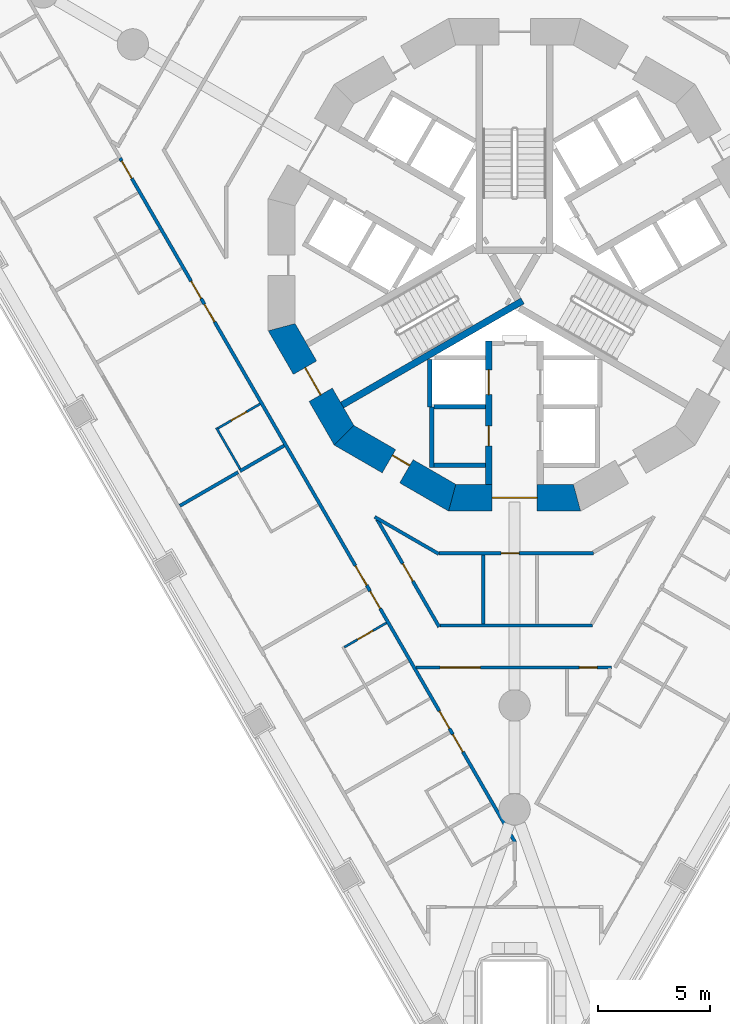
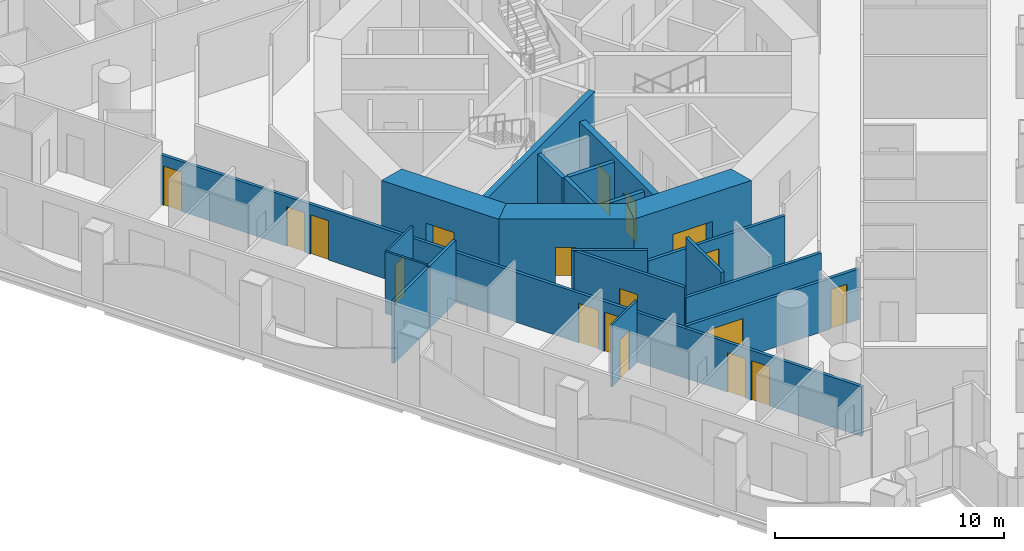
# One storey, part 3 of 19: 21 walls, 18 doors, 18 openings.
"""IFC4 building model written with IfcOpenShell, lengths in metres."""

from ifc_helpers import new_model, si_unit, direction, frame, frame_2d, origin, place, context, subcontext, project, spatial, polyline, rectangle, outline, extrude, material, layer, layer_set, type_object, element, fill, save


model = new_model("IFC4")

# Units and contexts
model_context = context("Model", 3, precision=1e-05, world=origin(), true_north=direction((0.0, 1.0)))
body_context = subcontext(model_context, "Body", "Model", "MODEL_VIEW")
ifc_project = project(units=[si_unit("LENGTHUNIT", "METRE"), si_unit("AREAUNIT", "SQUARE_METRE"), si_unit("VOLUMEUNIT", "CUBIC_METRE"), si_unit("PLANEANGLEUNIT", "RADIAN"), si_unit("MASSUNIT", "GRAM", prefix="KILO")], contexts=[model_context])

# Site, building, storey
site_placement = place(None, origin())
site = spatial("IfcSite", under=ifc_project, at=site_placement, CompositionType="ELEMENT")
building_placement = place(site_placement, origin())
building = spatial("IfcBuilding", under=site, at=building_placement, Name="Trine Commons Tower", CompositionType="ELEMENT")
storey_placement = place(building_placement, frame((0.0, 0.0, 31.5)))
storey = spatial("IfcBuildingStorey", under=building, at=storey_placement, Name="L06", CompositionType="ELEMENT", Elevation=31.5)

# Wall, opening, door
ifc_material_1 = material(Name="Concrete C80/95", Category="concrete")
ifc_layer_1 = layer(ifc_material_1, 1.199951171875)
ifc_layer_set_1 = layer_set([ifc_layer_1], Name="Concrete C80/95")
wall_type_1 = type_object("IfcWallType", Name="RC shear wall 1200 mm, C80/95", PredefinedType="SHEAR", material=ifc_layer_set_1)
wall_1_placement = place(storey_placement, frame((69.508056640625, 59.849609375, 0.0), z_axis=(0.0, 0.0, 1.0), x_axis=(0.499979111662, -0.866037463336, 0.0)))
wall_1 = element("IfcWall", 1, at=wall_1_placement, inside=storey, type_object=wall_type_1, Name="Core wall CWA-08 L06", PredefinedType="SHEAR", context=body_context, shape_type="SweptSolid", body=[
    extrude(outline(polyline([(0.0, -0.60009765625), (5.901123046875, -0.60009765625), (5.57958984375, 0.60009765625), (0.321533203125, 0.60009765625), (0.0, -0.60009765625)])), origin(), (0.0, 0.0, 1.0), 3.60009765625),
])
opening_1_placement = place(wall_1_placement, frame((2.25048828125, 0.0, 0.0)))
opening_1 = element("IfcOpeningElement", 2, at=opening_1_placement, cuts=wall_1, Name="Opening K05.02", PredefinedType="OPENING", context=body_context, shape_type="SweptSolid", body=[
    extrude(rectangle(XDim=1.39990234375, YDim=2.10009765625, at=frame_2d((0.699951171875, 1.050048828125))), frame((0.0, 0.60986328125, 0.0), z_axis=(0.0, -1.0, 0.0), x_axis=(1.0, 0.0, 0.0)), (0.0, 0.0, 1.0), 1.219970703125),
])
ifc_material_2 = material(Name="Steel door leaves, fire-rated", Category="steel")
door_type_1 = type_object("IfcDoorType", Name="Stair door, double leaf 1400 x 2100, FD90", OperationType="DOUBLE_DOOR_SINGLE_SWING", PredefinedType="DOOR", material=ifc_material_2)
door_1_placement = place(opening_1_placement, origin())
door_1 = element("IfcDoor", 3, at=door_1_placement, inside=storey, type_object=door_type_1, Name="Stair door to Exit stair ST2A L06", OperationType="DOUBLE_DOOR_SINGLE_SWING", OverallHeight=2.10009765625, OverallWidth=1.39990234375, PredefinedType="DOOR", context=body_context, shape_type="SweptSolid", body=[
    extrude(rectangle(XDim=1.39990234375, YDim=2.10009765625, at=frame_2d((0.699951171875, 1.050048828125))), frame((0.0, 0.02490234375, 0.0), z_axis=(0.0, -1.0, 0.0), x_axis=(1.0, 0.0, 0.0)), (0.0, 0.0, 1.0), 0.050048828125),
])
fill(opening_1, door_1)

wall_2_placement = place(storey_placement, frame((72.239013671875, 54.95849609375, 0.0), z_axis=(0.0, 0.0, 1.0), x_axis=(0.866037463336, -0.499979111662, 0.0)))
wall_2 = element("IfcWall", 4, at=wall_2_placement, inside=storey, type_object=wall_type_1, Name="Core wall CWA-09 L06", PredefinedType="SHEAR", context=body_context, shape_type="SweptSolid", body=[
    extrude(outline(polyline([(0.0, -0.60009765625), (5.901123046875, -0.60009765625), (5.57958984375, 0.60009765625), (0.321533203125, 0.60009765625), (0.0, -0.60009765625)])), origin(), (0.0, 0.0, 1.0), 3.60009765625),
])
opening_2_placement = place(wall_2_placement, frame((2.4765625, 0.0, 0.0)))
opening_2 = element("IfcOpeningElement", 5, at=opening_2_placement, cuts=wall_2, Name="Opening K05.14", PredefinedType="OPENING", context=body_context, shape_type="SweptSolid", body=[
    extrude(rectangle(XDim=0.89990234375, YDim=2.10009765625, at=frame_2d((0.449951171875, 1.050048828125))), frame((0.0, 0.60986328125, 0.0), z_axis=(0.0, -1.0, 0.0), x_axis=(1.0, 0.0, 0.0)), (0.0, 0.0, 1.0), 1.219970703125),
])
ifc_material_3 = material(Name="Steel door leaf, fire-rated", Category="steel")
door_type_2 = type_object("IfcDoorType", Name="Core room door, single leaf 900 x 2100, FD30S", OperationType="SINGLE_SWING_LEFT", PredefinedType="DOOR", material=ifc_material_3)
door_2_placement = place(opening_2_placement, origin())
door_2 = element("IfcDoor", 6, at=door_2_placement, inside=storey, type_object=door_type_2, Name="Door to Parcel store L06", OperationType="SINGLE_SWING_LEFT", OverallHeight=2.10009765625, OverallWidth=0.89990234375, PredefinedType="DOOR", context=body_context, shape_type="SweptSolid", body=[
    extrude(rectangle(XDim=0.89990234375, YDim=2.10009765625, at=frame_2d((0.449951171875, 1.050048828125))), frame((0.0, 0.3251953125, 0.0), z_axis=(0.0, -1.0, 0.0), x_axis=(1.0, 0.0, 0.0)), (0.0, 0.0, 1.0), 0.050048828125),
])
fill(opening_2, door_2)

wall_3_placement = place(storey_placement, frame((77.049560546875, 52.08837890625, 0.0), z_axis=(0.0, 0.0, 1.0), x_axis=(1.0, 0.0, 0.0)))
wall_3 = element("IfcWall", 7, at=wall_3_placement, inside=storey, type_object=wall_type_1, Name="Core wall CWA-10 L06", PredefinedType="SHEAR", context=body_context, shape_type="SweptSolid", body=[
    extrude(outline(polyline([(0.0, -0.60009765625), (5.90087890625, -0.60009765625), (5.57958984375, 0.60009765625), (0.321533203125, 0.60009765625), (0.0, -0.60009765625)])), origin(), (0.0, 0.0, 1.0), 3.60009765625),
])
opening_3_placement = place(wall_3_placement, frame((1.950439453125, 0.0, 0.0)))
opening_3 = element("IfcOpeningElement", 8, at=opening_3_placement, cuts=wall_3, Name="Opening K05.08", PredefinedType="OPENING", context=body_context, shape_type="SweptSolid", body=[
    extrude(rectangle(XDim=2.0, YDim=2.10009765625, at=frame_2d((1.0, 1.050048828125))), frame((0.0, 0.60986328125, 0.0), z_axis=(0.0, -1.0, 0.0), x_axis=(1.0, 0.0, 0.0)), (0.0, 0.0, 1.0), 1.219970703125),
])
door_type_3 = type_object("IfcDoorType", Name="Lobby door, double leaf 2000 x 2100, FD60", OperationType="DOUBLE_DOOR_SINGLE_SWING", PredefinedType="DOOR", material=ifc_material_2)
door_3_placement = place(opening_3_placement, origin())
door_3 = element("IfcDoor", 9, at=door_3_placement, inside=storey, type_object=door_type_3, Name="Lobby door, Service and firefighting lobby L06", OperationType="DOUBLE_DOOR_SINGLE_SWING", OverallHeight=2.10009765625, OverallWidth=2.0, PredefinedType="DOOR", context=body_context, shape_type="SweptSolid", body=[
    extrude(rectangle(XDim=2.0, YDim=2.10009765625, at=frame_2d((1.0, 1.050048828125))), frame((0.0, 0.02490234375, 0.0), z_axis=(0.0, -1.0, 0.0), x_axis=(1.0, 0.0, 0.0)), (0.0, 0.0, 1.0), 0.050048828125),
])
fill(opening_3, door_3)

# Wall, openings, doors
ifc_layer_2 = layer(ifc_material_1, 0.300048828125)
ifc_layer_set_2 = layer_set([ifc_layer_2], Name="Concrete C80/95")
wall_type_2 = type_object("IfcWallType", Name="RC shear wall 300 mm, C80/95", PredefinedType="SHEAR", material=ifc_layer_set_2)
wall_4_placement = place(storey_placement, frame((78.85009765625, 59.10009765625, 0.0), z_axis=(0.0, 0.0, 1.0), x_axis=(0.0, -1.0, 0.0)))
wall_4 = element("IfcWall", 10, at=wall_4_placement, inside=storey, type_object=wall_type_2, Name="Core cross wall SWA-03 L06", PredefinedType="SHEAR", context=body_context, shape_type="SweptSolid", body=[
    extrude(rectangle(XDim=6.412109375, YDim=0.300048828125, at=frame_2d((3.2060546875, 0.0))), origin(), (0.0, 0.0, 1.0), 3.60009765625),
])
opening_4_placement = place(wall_4_placement, frame((3.800048828125, 0.0, 0.0)))
opening_4 = element("IfcOpeningElement", 11, at=opening_4_placement, cuts=wall_4, Name="Opening K05.10", PredefinedType="OPENING", context=body_context, shape_type="SweptSolid", body=[
    extrude(rectangle(XDim=0.89990234375, YDim=2.10009765625, at=frame_2d((0.449951171875, 1.050048828125))), frame((0.0, 0.159912109375, 0.0), z_axis=(0.0, -1.0, 0.0), x_axis=(1.0, 0.0, 0.0)), (0.0, 0.0, 1.0), 0.320068359375),
])
opening_5_placement = place(wall_4_placement, frame((1.300048828125, 0.0, 0.0)))
opening_5 = element("IfcOpeningElement", 12, at=opening_5_placement, cuts=wall_4, Name="Opening LD10", PredefinedType="OPENING", context=body_context, shape_type="SweptSolid", body=[
    extrude(rectangle(XDim=1.10009765625, YDim=2.10009765625, at=frame_2d((0.550048828125, 1.050048828125))), frame((0.0, 0.159912109375, 0.0), z_axis=(0.0, -1.0, 0.0), x_axis=(1.0, 0.0, 0.0)), (0.0, 0.0, 1.0), 0.320068359375),
])
door_4_placement = place(opening_4_placement, frame((0.89990234375, 0.0, 0.0), z_axis=(0.0, 0.0, 1.0), x_axis=(-1.0, 0.0, 0.0)))
door_4 = element("IfcDoor", 13, at=door_4_placement, inside=storey, type_object=door_type_2, Name="Door to Linen store L06", OperationType="SINGLE_SWING_RIGHT", OverallHeight=2.10009765625, OverallWidth=0.89990234375, PredefinedType="DOOR", context=body_context, shape_type="SweptSolid", body=[
    extrude(rectangle(XDim=0.89990234375, YDim=2.10009765625, at=frame_2d((0.449951171875, 1.050048828125))), frame((0.0, 0.02490234375, 0.0), z_axis=(0.0, -1.0, 0.0), x_axis=(1.0, 0.0, 0.0)), (0.0, 0.0, 1.0), 0.050048828125),
])
fill(opening_4, door_4)
ifc_material_4 = material(Name="Stainless steel sliding door leaves", Category="steel")
door_type_4 = type_object("IfcDoorType", Name="Lift landing door, centre-opening sliding 1100 x 2100, FD90", OperationType="DOUBLE_DOOR_SLIDING", PredefinedType="DOOR", material=ifc_material_4)
door_5_placement = place(opening_5_placement, origin())
door_5 = element("IfcDoor", 14, at=door_5_placement, inside=storey, type_object=door_type_4, Name="Lift landing door FF2 L06", OperationType="DOUBLE_DOOR_SLIDING", OverallHeight=2.10009765625, OverallWidth=1.10009765625, PredefinedType="DOOR", context=body_context, shape_type="SweptSolid", body=[
    extrude(rectangle(XDim=1.10009765625, YDim=2.10009765625, at=frame_2d((0.550048828125, 1.050048828125))), frame((0.0, 0.02490234375, 0.0), z_axis=(0.0, -1.0, 0.0), x_axis=(1.0, 0.0, 0.0)), (0.0, 0.0, 1.0), 0.050048828125),
])
fill(opening_5, door_5)

# Walls
wall_5_placement = place(storey_placement, frame((80.35400390625, 60.885986328125, 0.0), z_axis=(0.0, 0.0, 1.0), x_axis=(-0.865986456211, -0.50006745311, 0.0)))
element("IfcWall", 15, at=wall_5_placement, inside=storey, type_object=wall_type_2, Name="Core cross wall SWA-14 L06", PredefinedType="SHEAR", context=body_context, shape_type="SweptSolid", body=[
    extrude(rectangle(XDim=9.310791015625, YDim=0.300048828125, at=frame_2d((4.6552734375, 0.0))), origin(), (0.0, 0.0, 1.0), 3.60009765625),
])
ifc_material_5 = material(Name="Fire-rated gypsum shaft wall system")
ifc_layer_3 = layer(ifc_material_5, 0.199951171875)
ifc_layer_set_3 = layer_set([ifc_layer_3], Name="Fire-rated gypsum shaft wall system")
wall_type_3 = type_object("IfcWallType", Name="Shaft wall 200 mm, EI 120", PredefinedType="PARTITIONING", material=ifc_layer_set_3)
wall_6_placement = place(storey_placement, frame((76.199951171875, 58.256103515625, 0.0), z_axis=(0.0, 0.0, 1.0), x_axis=(0.0, -1.0, 0.0)))
element("IfcWall", 16, at=wall_6_placement, inside=storey, type_object=wall_type_3, Name="Shaft wall L06", PredefinedType="PARTITIONING", context=body_context, shape_type="SweptSolid", body=[
    extrude(rectangle(XDim=2.106201171875, YDim=0.199951171875, at=frame_2d((1.05322265625, 0.0))), origin(), (0.0, 0.0, 1.0), 3.300048828125),
])
wall_7_placement = place(storey_placement, frame((76.300048828125, 56.14990234375, 0.0), z_axis=(0.0, 0.0, 1.0), x_axis=(0.0, -1.0, 0.0)))
element("IfcWall", 17, at=wall_7_placement, inside=storey, type_object=wall_type_3, Name="Shaft wall L06", PredefinedType="PARTITIONING", context=body_context, shape_type="SweptSolid", body=[
    extrude(rectangle(XDim=2.699951171875, YDim=0.199951171875, at=frame_2d((1.35009765625, 0.0))), origin(), (0.0, 0.0, 1.0), 3.300048828125),
])
for number, where, z_axis, x_axis, name in (
    (18, (78.699951171875, 53.550048828125, 0.0), (0.0, 0.0, 1.0), (-1.0, 0.0, 0.0), "Shaft wall L06"),
    (19, (78.699951171875, 56.14990234375, 0.0), (0.0, 0.0, 1.0), (-1.0, 0.0, 0.0), "Shaft wall L06"),
):
    element("IfcWall", number, at=place(storey_placement, frame(where, z_axis=z_axis, x_axis=x_axis)), inside=storey, type_object=wall_type_3, Name=name, PredefinedType="PARTITIONING", context=body_context, shape_type="SweptSolid", body=[
        extrude(rectangle(XDim=2.300048828125, YDim=0.199951171875, at=frame_2d((1.14990234375, 0.0))), origin(), (0.0, 0.0, 1.0), 3.300048828125),
    ])

# Wall, openings, doors
ifc_material_6 = material(Name="Gypsum plasterboard on steel stud", Category="steel")
ifc_layer_4 = layer(ifc_material_6, 0.14990234375)
ifc_layer_set_4 = layer_set([ifc_layer_4], Name="Gypsum plasterboard on steel stud")
wall_type_4 = type_object("IfcWallType", Name="Unit and corridor wall 150 mm, EI 60", PredefinedType="PARTITIONING", material=ifc_layer_set_4)
wall_8_placement = place(storey_placement, frame((62.364990234375, 67.27099609375, 0.0), z_axis=(0.0, 0.0, 1.0), x_axis=(0.500005848871, -0.866022026911, 0.0)))
wall_8 = element("IfcWall", 20, at=wall_8_placement, inside=storey, type_object=wall_type_4, Name="Partition 025", PredefinedType="PARTITIONING", context=body_context, shape_type="SweptSolid", body=[
    extrude(rectangle(XDim=35.29736328125, YDim=0.14990234375, at=frame_2d((17.648681640625, 0.0))), origin(), (0.0, 0.0, 1.0), 2.64990234375),
])
opening_6_placement = place(wall_8_placement, frame((29.744384765625, 0.0, 0.0)))
opening_6 = element("IfcOpeningElement", 21, at=opening_6_placement, cuts=wall_8, Name="Opening D-1A25", PredefinedType="OPENING", context=body_context, shape_type="SweptSolid", body=[
    extrude(rectangle(XDim=0.89990234375, YDim=2.10009765625, at=frame_2d((0.449951171875, 1.050048828125))), frame((0.0, 0.0849609375, 0.0), z_axis=(0.0, -1.0, 0.0), x_axis=(1.0, 0.0, 0.0)), (0.0, 0.0, 1.0), 0.169921875),
])
opening_7_placement = place(wall_8_placement, frame((28.544189453125, 0.0, 0.0)))
opening_7 = element("IfcOpeningElement", 22, at=opening_7_placement, cuts=wall_8, Name="Opening D-1A26", PredefinedType="OPENING", context=body_context, shape_type="SweptSolid", body=[
    extrude(rectangle(XDim=0.89990234375, YDim=2.10009765625, at=frame_2d((0.449951171875, 1.050048828125))), frame((0.0, 0.0849609375, 0.0), z_axis=(0.0, -1.0, 0.0), x_axis=(1.0, 0.0, 0.0)), (0.0, 0.0, 1.0), 0.169921875),
])
opening_8_placement = place(wall_8_placement, frame((22.34716796875, 0.0, 0.0)))
opening_8 = element("IfcOpeningElement", 23, at=opening_8_placement, cuts=wall_8, Name="Opening D-1A27", PredefinedType="OPENING", context=body_context, shape_type="SweptSolid", body=[
    extrude(rectangle(XDim=0.89990234375, YDim=2.10009765625, at=frame_2d((0.449951171875, 1.050048828125))), frame((0.0, 0.0849609375, 0.0), z_axis=(0.0, -1.0, 0.0), x_axis=(1.0, 0.0, 0.0)), (0.0, 0.0, 1.0), 0.169921875),
])
opening_9_placement = place(wall_8_placement, frame((21.047119140625, 0.0, 0.0)))
opening_9 = element("IfcOpeningElement", 24, at=opening_9_placement, cuts=wall_8, Name="Opening D-1A28", PredefinedType="OPENING", context=body_context, shape_type="SweptSolid", body=[
    extrude(rectangle(XDim=1.0, YDim=2.10009765625, at=frame_2d((0.5, 1.050048828125))), frame((0.0, 0.0849609375, 0.0), z_axis=(0.0, -1.0, 0.0), x_axis=(1.0, 0.0, 0.0)), (0.0, 0.0, 1.0), 0.169921875),
])
opening_10_placement = place(wall_8_placement, frame((7.55078125, 0.0, 0.0)))
opening_10 = element("IfcOpeningElement", 25, at=opening_10_placement, cuts=wall_8, Name="Opening D-1A29", PredefinedType="OPENING", context=body_context, shape_type="SweptSolid", body=[
    extrude(rectangle(XDim=0.89990234375, YDim=2.10009765625, at=frame_2d((0.449951171875, 1.050048828125))), frame((0.0, 0.0849609375, 0.0), z_axis=(0.0, -1.0, 0.0), x_axis=(1.0, 0.0, 0.0)), (0.0, 0.0, 1.0), 0.169921875),
])
opening_11_placement = place(wall_8_placement, frame((6.350830078125, 0.0, 0.0)))
opening_11 = element("IfcOpeningElement", 26, at=opening_11_placement, cuts=wall_8, Name="Opening D-1A30", PredefinedType="OPENING", context=body_context, shape_type="SweptSolid", body=[
    extrude(rectangle(XDim=0.89990234375, YDim=2.10009765625, at=frame_2d((0.449951171875, 1.050048828125))), frame((0.0, 0.0849609375, 0.0), z_axis=(0.0, -1.0, 0.0), x_axis=(1.0, 0.0, 0.0)), (0.0, 0.0, 1.0), 0.169921875),
])
opening_12_placement = place(wall_8_placement, frame((0.153564453125, 0.0, 0.0)))
opening_12 = element("IfcOpeningElement", 27, at=opening_12_placement, cuts=wall_8, Name="Opening D-1A31", PredefinedType="OPENING", context=body_context, shape_type="SweptSolid", body=[
    extrude(rectangle(XDim=0.89990234375, YDim=2.10009765625, at=frame_2d((0.449951171875, 1.050048828125))), frame((0.0, 0.0849609375, 0.0), z_axis=(0.0, -1.0, 0.0), x_axis=(1.0, 0.0, 0.0)), (0.0, 0.0, 1.0), 0.169921875),
])
ifc_material_7 = material(Name="Timber fire door set", Category="wood")
door_type_5 = type_object("IfcDoorType", Name="Bedroom door 1000 x 2100, FD30S", OperationType="NOTDEFINED", PredefinedType="DOOR", material=ifc_material_7)
door_6_placement = place(opening_9_placement, frame((1.0, 0.0, 0.0), z_axis=(0.0, 0.0, 1.0), x_axis=(-1.0, 0.0, 0.0)))
door_6 = element("IfcDoor", 28, at=door_6_placement, inside=storey, type_object=door_type_5, Name="Door D-1A28", OperationType="SINGLE_SWING_LEFT", OverallHeight=2.10009765625, OverallWidth=1.0, PredefinedType="DOOR", context=body_context, shape_type="SweptSolid", body=[
    extrude(rectangle(XDim=1.0, YDim=2.10009765625, at=frame_2d((0.5, 1.050048828125))), frame((0.0, 0.02490234375, 0.0), z_axis=(0.0, -1.0, 0.0), x_axis=(1.0, 0.0, 0.0)), (0.0, 0.0, 1.0), 0.050048828125),
])
fill(opening_9, door_6)
door_type_6 = type_object("IfcDoorType", Name="Bedroom door 900 x 2100, FD30S", OperationType="NOTDEFINED", PredefinedType="DOOR", material=ifc_material_7)
door_7_placement = place(opening_6_placement, frame((0.89990234375, 0.0, 0.0), z_axis=(0.0, 0.0, 1.0), x_axis=(-1.0, 0.0, 0.0)))
door_7 = element("IfcDoor", 29, at=door_7_placement, inside=storey, type_object=door_type_6, Name="Door D-1A25", OperationType="SINGLE_SWING_LEFT", OverallHeight=2.10009765625, OverallWidth=0.89990234375, PredefinedType="DOOR", context=body_context, shape_type="SweptSolid", body=[
    extrude(rectangle(XDim=0.89990234375, YDim=2.10009765625, at=frame_2d((0.449951171875, 1.050048828125))), frame((0.0, 0.02490234375, 0.0), z_axis=(0.0, -1.0, 0.0), x_axis=(1.0, 0.0, 0.0)), (0.0, 0.0, 1.0), 0.050048828125),
])
fill(opening_6, door_7)
door_8_placement = place(opening_7_placement, frame((0.89990234375, 0.0, 0.0), z_axis=(0.0, 0.0, 1.0), x_axis=(-1.0, 0.0, 0.0)))
door_8 = element("IfcDoor", 30, at=door_8_placement, inside=storey, type_object=door_type_6, Name="Door D-1A26", OperationType="SINGLE_SWING_LEFT", OverallHeight=2.10009765625, OverallWidth=0.89990234375, PredefinedType="DOOR", context=body_context, shape_type="SweptSolid", body=[
    extrude(rectangle(XDim=0.89990234375, YDim=2.10009765625, at=frame_2d((0.449951171875, 1.050048828125))), frame((0.0, 0.02490234375, 0.0), z_axis=(0.0, -1.0, 0.0), x_axis=(1.0, 0.0, 0.0)), (0.0, 0.0, 1.0), 0.050048828125),
])
fill(opening_7, door_8)
door_9_placement = place(opening_8_placement, frame((0.89990234375, 0.0, 0.0), z_axis=(0.0, 0.0, 1.0), x_axis=(-1.0, 0.0, 0.0)))
door_9 = element("IfcDoor", 31, at=door_9_placement, inside=storey, type_object=door_type_6, Name="Door D-1A27", OperationType="SINGLE_SWING_LEFT", OverallHeight=2.10009765625, OverallWidth=0.89990234375, PredefinedType="DOOR", context=body_context, shape_type="SweptSolid", body=[
    extrude(rectangle(XDim=0.89990234375, YDim=2.10009765625, at=frame_2d((0.449951171875, 1.050048828125))), frame((0.0, 0.02490234375, 0.0), z_axis=(0.0, -1.0, 0.0), x_axis=(1.0, 0.0, 0.0)), (0.0, 0.0, 1.0), 0.050048828125),
])
fill(opening_8, door_9)
door_10_placement = place(opening_10_placement, frame((0.89990234375, 0.0, 0.0), z_axis=(0.0, 0.0, 1.0), x_axis=(-1.0, 0.0, 0.0)))
door_10 = element("IfcDoor", 32, at=door_10_placement, inside=storey, type_object=door_type_6, Name="Door D-1A29", OperationType="SINGLE_SWING_RIGHT", OverallHeight=2.10009765625, OverallWidth=0.89990234375, PredefinedType="DOOR", context=body_context, shape_type="SweptSolid", body=[
    extrude(rectangle(XDim=0.89990234375, YDim=2.10009765625, at=frame_2d((0.449951171875, 1.050048828125))), frame((0.0, 0.02490234375, 0.0), z_axis=(0.0, -1.0, 0.0), x_axis=(1.0, 0.0, 0.0)), (0.0, 0.0, 1.0), 0.050048828125),
])
fill(opening_10, door_10)
door_11_placement = place(opening_11_placement, frame((0.89990234375, 0.0, 0.0), z_axis=(0.0, 0.0, 1.0), x_axis=(-1.0, 0.0, 0.0)))
door_11 = element("IfcDoor", 33, at=door_11_placement, inside=storey, type_object=door_type_6, Name="Door D-1A30", OperationType="SINGLE_SWING_RIGHT", OverallHeight=2.10009765625, OverallWidth=0.89990234375, PredefinedType="DOOR", context=body_context, shape_type="SweptSolid", body=[
    extrude(rectangle(XDim=0.89990234375, YDim=2.10009765625, at=frame_2d((0.449951171875, 1.050048828125))), frame((0.0, 0.02490234375, 0.0), z_axis=(0.0, -1.0, 0.0), x_axis=(1.0, 0.0, 0.0)), (0.0, 0.0, 1.0), 0.050048828125),
])
fill(opening_11, door_11)
door_12_placement = place(opening_12_placement, frame((0.89990234375, 0.0, 0.0), z_axis=(0.0, 0.0, 1.0), x_axis=(-1.0, 0.0, 0.0)))
door_12 = element("IfcDoor", 34, at=door_12_placement, inside=storey, type_object=door_type_6, Name="Door D-1A31", OperationType="SINGLE_SWING_RIGHT", OverallHeight=2.10009765625, OverallWidth=0.89990234375, PredefinedType="DOOR", context=body_context, shape_type="SweptSolid", body=[
    extrude(rectangle(XDim=0.89990234375, YDim=2.10009765625, at=frame_2d((0.449951171875, 1.050048828125))), frame((0.0, 0.02490234375, 0.0), z_axis=(0.0, -1.0, 0.0), x_axis=(1.0, 0.0, 0.0)), (0.0, 0.0, 1.0), 0.050048828125),
])
fill(opening_12, door_12)

# Walls
wall_9_placement = place(storey_placement, frame((65.03759765625, 51.72607421875, 0.0), z_axis=(0.0, 0.0, 1.0), x_axis=(0.866097759389, 0.49987465547, 0.0)))
element("IfcWall", 35, at=wall_9_placement, inside=storey, type_object=wall_type_4, Name="Partition 031", PredefinedType="PARTITIONING", context=body_context, shape_type="SweptSolid", body=[
    extrude(rectangle(XDim=3.008544921875, YDim=0.14990234375, at=frame_2d((1.50439453125, 0.0))), origin(), (0.0, 0.0, 1.0), 3.300048828125),
])
wall_10_placement = place(storey_placement, frame((67.726806640625, 53.278076171875, 0.0), z_axis=(0.0, 0.0, 1.0), x_axis=(0.866012516728, 0.500022320372, 0.0)))
element("IfcWall", 36, at=wall_10_placement, inside=storey, type_object=wall_type_4, Name="Partition 042", PredefinedType="PARTITIONING", context=body_context, shape_type="SweptSolid", body=[
    extrude(rectangle(XDim=2.27880859375, YDim=0.14990234375, at=frame_2d((1.139404296875, 0.0))), origin(), (0.0, 0.0, 1.0), 3.300048828125),
])
wall_11_placement = place(storey_placement, frame((73.74609375, 51.23046875, 0.0), z_axis=(0.0, 0.0, 1.0), x_axis=(0.865959508231, -0.500114117081, 0.0)))
element("IfcWall", 37, at=wall_11_placement, inside=storey, type_object=wall_type_4, Name="Partition 051", PredefinedType="PARTITIONING", context=body_context, shape_type="SweptSolid", body=[
    extrude(rectangle(XDim=3.309326171875, YDim=0.14990234375, at=frame_2d((1.65478515625, 0.0))), origin(), (0.0, 0.0, 1.0), 3.300048828125),
])

# Wall, opening, door
wall_12_placement = place(storey_placement, frame((73.8515625, 51.1259765625, 0.0), z_axis=(0.0, 0.0, 1.0), x_axis=(0.500036793739, -0.866004159867, 0.0)))
wall_12 = element("IfcWall", 38, at=wall_12_placement, inside=storey, type_object=wall_type_4, Name="Partition 052", PredefinedType="PARTITIONING", context=body_context, shape_type="SweptSolid", body=[
    extrude(rectangle(XDim=5.5576171875, YDim=0.14990234375, at=frame_2d((2.77880859375, 0.0))), origin(), (0.0, 0.0, 1.0), 3.300048828125),
])
opening_13_placement = place(wall_12_placement, frame((2.29150390625, 0.0, 0.0)))
opening_13 = element("IfcOpeningElement", 39, at=opening_13_placement, cuts=wall_12, Name="Opening D-1A38", PredefinedType="OPENING", context=body_context, shape_type="SweptSolid", body=[
    extrude(rectangle(XDim=0.89990234375, YDim=2.10009765625, at=frame_2d((0.449951171875, 1.050048828125))), frame((0.0, 0.0849609375, 0.0), z_axis=(0.0, -1.0, 0.0), x_axis=(1.0, 0.0, 0.0)), (0.0, 0.0, 1.0), 0.169921875),
])
door_type_7 = type_object("IfcDoorType", Name="Service door 900 x 2100, FD30S", OperationType="NOTDEFINED", PredefinedType="DOOR", material=ifc_material_7)
door_13_placement = place(opening_13_placement, origin())
door_13 = element("IfcDoor", 40, at=door_13_placement, inside=storey, type_object=door_type_7, Name="Door D-1A38", OperationType="SINGLE_SWING_LEFT", OverallHeight=2.10009765625, OverallWidth=0.89990234375, PredefinedType="DOOR", context=body_context, shape_type="SweptSolid", body=[
    extrude(rectangle(XDim=0.89990234375, YDim=2.10009765625, at=frame_2d((0.449951171875, 1.050048828125))), frame((0.0, 0.02490234375, 0.0), z_axis=(0.0, -1.0, 0.0), x_axis=(1.0, 0.0, 0.0)), (0.0, 0.0, 1.0), 0.050048828125),
])
fill(opening_13, door_13)

# Wall, openings, doors
wall_13_placement = place(storey_placement, frame((75.5859375, 44.5029296875, 0.0), z_axis=(0.0, 0.0, 1.0), x_axis=(1.0, 0.0, 0.0)))
wall_13 = element("IfcWall", 41, at=wall_13_placement, inside=storey, type_object=wall_type_4, Name="Partition 056", PredefinedType="PARTITIONING", context=body_context, shape_type="SweptSolid", body=[
    extrude(rectangle(XDim=8.733154296875, YDim=0.14990234375, at=frame_2d((4.36669921875, 0.0))), origin(), (0.0, 0.0, 1.0), 2.699951171875),
])
opening_14_placement = place(wall_13_placement, frame((1.080810546875, 0.0, 0.0)))
opening_14 = element("IfcOpeningElement", 42, at=opening_14_placement, cuts=wall_13, Name="Opening D-1A02", PredefinedType="OPENING", context=body_context, shape_type="SweptSolid", body=[
    extrude(rectangle(XDim=1.800048828125, YDim=2.10009765625, at=frame_2d((0.89990234375, 1.050048828125))), frame((0.0, 0.0849609375, 0.0), z_axis=(0.0, -1.0, 0.0), x_axis=(1.0, 0.0, 0.0)), (0.0, 0.0, 1.0), 0.169921875),
])
opening_15_placement = place(wall_13_placement, frame((7.303955078125, 0.0, 0.0)))
opening_15 = element("IfcOpeningElement", 43, at=opening_15_placement, cuts=wall_13, Name="Opening D-1A05", PredefinedType="OPENING", context=body_context, shape_type="SweptSolid", body=[
    extrude(rectangle(XDim=0.800048828125, YDim=2.10009765625, at=frame_2d((0.39990234375, 1.050048828125))), frame((0.0, 0.0849609375, 0.0), z_axis=(0.0, -1.0, 0.0), x_axis=(1.0, 0.0, 0.0)), (0.0, 0.0, 1.0), 0.169921875),
])
door_type_8 = type_object("IfcDoorType", Name="Cluster entrance door 1800 x 2100, double leaf, FD30S", OperationType="DOUBLE_DOOR_DOUBLE_SWING", PredefinedType="DOOR", material=ifc_material_7)
door_14_placement = place(opening_14_placement, frame((1.800048828125, 0.0, 0.0), z_axis=(0.0, 0.0, 1.0), x_axis=(-1.0, 0.0, 0.0)))
door_14 = element("IfcDoor", 44, at=door_14_placement, inside=storey, type_object=door_type_8, Name="Door D-1A02", OperationType="DOUBLE_DOOR_DOUBLE_SWING", OverallHeight=2.10009765625, OverallWidth=1.800048828125, PredefinedType="DOOR", context=body_context, shape_type="SweptSolid", body=[
    extrude(rectangle(XDim=1.800048828125, YDim=2.10009765625, at=frame_2d((0.89990234375, 1.050048828125))), frame((0.0, 0.02490234375, 0.0), z_axis=(0.0, -1.0, 0.0), x_axis=(1.0, 0.0, 0.0)), (0.0, 0.0, 1.0), 0.050048828125),
])
fill(opening_14, door_14)
ifc_material_8 = material(Name="Painted timber", Category="wood")
door_type_9 = type_object("IfcDoorType", Name="Toilet door 800 x 2100, NOT RATED", OperationType="NOTDEFINED", PredefinedType="DOOR", material=ifc_material_8)
door_15_placement = place(opening_15_placement, frame((0.800048828125, 0.0, 0.0), z_axis=(0.0, 0.0, 1.0), x_axis=(-1.0, 0.0, 0.0)))
door_15 = element("IfcDoor", 45, at=door_15_placement, inside=storey, type_object=door_type_9, Name="Door D-1A05", OperationType="SINGLE_SWING_LEFT", OverallHeight=2.10009765625, OverallWidth=0.800048828125, PredefinedType="DOOR", context=body_context, shape_type="SweptSolid", body=[
    extrude(rectangle(XDim=0.800048828125, YDim=2.10009765625, at=frame_2d((0.39990234375, 1.050048828125))), frame((0.0, 0.02490234375, 0.0), z_axis=(0.0, -1.0, 0.0), x_axis=(1.0, 0.0, 0.0)), (0.0, 0.0, 1.0), 0.050048828125),
])
fill(opening_15, door_15)

# Wall, opening, door
wall_14_placement = place(storey_placement, frame((76.6220703125, 49.613037109375, 0.0), z_axis=(0.0, 0.0, 1.0), x_axis=(1.0, 0.0, 0.0)))
wall_14 = element("IfcWall", 46, at=wall_14_placement, inside=storey, type_object=wall_type_4, Name="Partition 059", PredefinedType="PARTITIONING", context=body_context, shape_type="SweptSolid", body=[
    extrude(rectangle(XDim=6.906005859375, YDim=0.14990234375, at=frame_2d((3.453125, 0.0))), origin(), (0.0, 0.0, 1.0), 2.699951171875),
])
opening_16_placement = place(wall_14_placement, frame((2.778076171875, 0.0, 0.0)))
opening_16 = element("IfcOpeningElement", 47, at=opening_16_placement, cuts=wall_14, Name="Opening D-1A39", PredefinedType="OPENING", context=body_context, shape_type="SweptSolid", body=[
    extrude(rectangle(XDim=0.800048828125, YDim=2.10009765625, at=frame_2d((0.39990234375, 1.050048828125))), frame((0.0, 0.0849609375, 0.0), z_axis=(0.0, -1.0, 0.0), x_axis=(1.0, 0.0, 0.0)), (0.0, 0.0, 1.0), 0.169921875),
])
door_16_placement = place(opening_16_placement, frame((0.800048828125, 0.0, 0.0), z_axis=(0.0, 0.0, 1.0), x_axis=(-1.0, 0.0, 0.0)))
door_16 = element("IfcDoor", 48, at=door_16_placement, inside=storey, type_object=door_type_9, Name="Door D-1A39", OperationType="SINGLE_SWING_RIGHT", OverallHeight=2.10009765625, OverallWidth=0.800048828125, PredefinedType="DOOR", context=body_context, shape_type="SweptSolid", body=[
    extrude(rectangle(XDim=0.800048828125, YDim=2.10009765625, at=frame_2d((0.39990234375, 1.050048828125))), frame((0.0, 0.02490234375, 0.0), z_axis=(0.0, -1.0, 0.0), x_axis=(1.0, 0.0, 0.0)), (0.0, 0.0, 1.0), 0.050048828125),
])
fill(opening_16, door_16)

# Walls
wall_15_placement = place(storey_placement, frame((76.66796875, 46.3779296875, 0.0), z_axis=(0.0, 0.0, 1.0), x_axis=(1.0, 0.0, 0.0)))
element("IfcWall", 49, at=wall_15_placement, inside=storey, type_object=wall_type_4, Name="Partition 060", PredefinedType="PARTITIONING", context=body_context, shape_type="SweptSolid", body=[
    extrude(rectangle(XDim=6.81396484375, YDim=0.14990234375, at=frame_2d((3.406982421875, 0.0))), origin(), (0.0, 0.0, 1.0), 2.699951171875),
])
wall_16_placement = place(storey_placement, frame((78.60009765625, 46.452880859375, 0.0), z_axis=(0.0, 0.0, 1.0), x_axis=(0.0, 1.0, 0.0)))
element("IfcWall", 50, at=wall_16_placement, inside=storey, type_object=wall_type_4, Name="Partition 065", PredefinedType="PARTITIONING", context=body_context, shape_type="SweptSolid", body=[
    extrude(rectangle(XDim=3.085205078125, YDim=0.14990234375, at=frame_2d((1.54248046875, 0.0))), origin(), (0.0, 0.0, 1.0), 3.300048828125),
])
ifc_layer_5 = layer(ifc_material_6, 0.10009765625)
ifc_layer_set_5 = layer_set([ifc_layer_5], Name="Gypsum plasterboard on steel stud")
wall_type_5 = type_object("IfcWallType", Name="Unit partition 100 mm, no rating", PredefinedType="PARTITIONING", material=ifc_layer_set_5)
wall_17_placement = place(storey_placement, frame((66.673095703125, 55.210205078125, 0.0), z_axis=(0.0, 0.0, 1.0), x_axis=(0.500044036531, -0.865999977788, 0.0)))
element("IfcWall", 51, at=wall_17_placement, inside=storey, type_object=wall_type_5, Name="Partition 035", PredefinedType="PARTITIONING", context=body_context, shape_type="SweptSolid", body=[
    extrude(rectangle(XDim=2.124755859375, YDim=0.10009765625, at=frame_2d((1.0625, 0.0))), origin(), (0.0, 0.0, 1.0), 3.300048828125),
])

# Wall, opening, door
wall_18_placement = place(storey_placement, frame((66.7412109375, 55.19189453125, 0.0), z_axis=(0.0, 0.0, 1.0), x_axis=(0.866017369001, 0.500013916395, 0.0)))
wall_18 = element("IfcWall", 52, at=wall_18_placement, inside=storey, type_object=wall_type_5, Name="Partition 036", PredefinedType="PARTITIONING", context=body_context, shape_type="SweptSolid", body=[
    extrude(rectangle(XDim=2.17529296875, YDim=0.10009765625, at=frame_2d((1.087646484375, 0.0))), origin(), (0.0, 0.0, 1.0), 3.300048828125),
])
opening_17_placement = place(wall_18_placement, frame((0.6875, 0.0, 0.0)))
opening_17 = element("IfcOpeningElement", 53, at=opening_17_placement, cuts=wall_18, Name="Opening D-1A61", PredefinedType="OPENING", context=body_context, shape_type="SweptSolid", body=[
    extrude(rectangle(XDim=0.800048828125, YDim=2.10009765625, at=frame_2d((0.39990234375, 1.050048828125))), frame((0.0, 0.06005859375, 0.0), z_axis=(0.0, -1.0, 0.0), x_axis=(1.0, 0.0, 0.0)), (0.0, 0.0, 1.0), 0.1201171875),
])
door_type_10 = type_object("IfcDoorType", Name="Internal door 800 x 2100, NOT RATED", OperationType="NOTDEFINED", PredefinedType="DOOR", material=ifc_material_8)
door_17_placement = place(opening_17_placement, origin())
door_17 = element("IfcDoor", 54, at=door_17_placement, inside=storey, type_object=door_type_10, Name="Door D-1A61", OperationType="SINGLE_SWING_RIGHT", OverallHeight=2.10009765625, OverallWidth=0.800048828125, PredefinedType="DOOR", context=body_context, shape_type="SweptSolid", body=[
    extrude(rectangle(XDim=0.800048828125, YDim=2.10009765625, at=frame_2d((0.39990234375, 1.050048828125))), frame((0.0, 0.02490234375, 0.0), z_axis=(0.0, -1.0, 0.0), x_axis=(1.0, 0.0, 0.0)), (0.0, 0.0, 1.0), 0.050048828125),
])
fill(opening_17, door_17)

wall_19_placement = place(storey_placement, frame((72.389404296875, 45.408935546875, 0.0), z_axis=(0.0, 0.0, 1.0), x_axis=(0.865989304205, 0.500062521093, 0.0)))
wall_19 = element("IfcWall", 55, at=wall_19_placement, inside=storey, type_object=wall_type_5, Name="Partition 049", PredefinedType="PARTITIONING", context=body_context, shape_type="SweptSolid", body=[
    extrude(rectangle(XDim=2.175048828125, YDim=0.10009765625, at=frame_2d((1.08740234375, 0.0))), origin(), (0.0, 0.0, 1.0), 3.300048828125),
])
opening_18_placement = place(wall_19_placement, frame((0.6875, 0.0, 0.0)))
opening_18 = element("IfcOpeningElement", 56, at=opening_18_placement, cuts=wall_19, Name="Opening D-1A59", PredefinedType="OPENING", context=body_context, shape_type="SweptSolid", body=[
    extrude(rectangle(XDim=0.800048828125, YDim=2.10009765625, at=frame_2d((0.39990234375, 1.050048828125))), frame((0.0, 0.06005859375, 0.0), z_axis=(0.0, -1.0, 0.0), x_axis=(1.0, 0.0, 0.0)), (0.0, 0.0, 1.0), 0.1201171875),
])
door_18_placement = place(opening_18_placement, origin())
door_18 = element("IfcDoor", 57, at=door_18_placement, inside=storey, type_object=door_type_10, Name="Door D-1A59", OperationType="SINGLE_SWING_RIGHT", OverallHeight=2.10009765625, OverallWidth=0.800048828125, PredefinedType="DOOR", context=body_context, shape_type="SweptSolid", body=[
    extrude(rectangle(XDim=0.800048828125, YDim=2.10009765625, at=frame_2d((0.39990234375, 1.050048828125))), frame((0.0, 0.02490234375, 0.0), z_axis=(0.0, -1.0, 0.0), x_axis=(1.0, 0.0, 0.0)), (0.0, 0.0, 1.0), 0.050048828125),
])
fill(opening_18, door_18)

save(model, "model.ifc")
